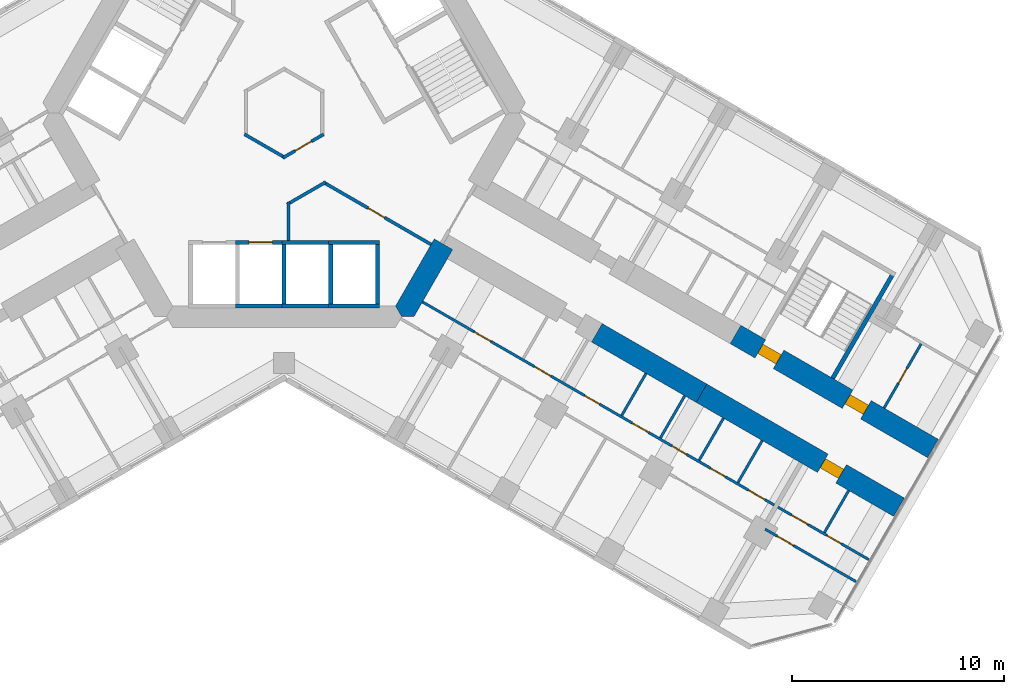
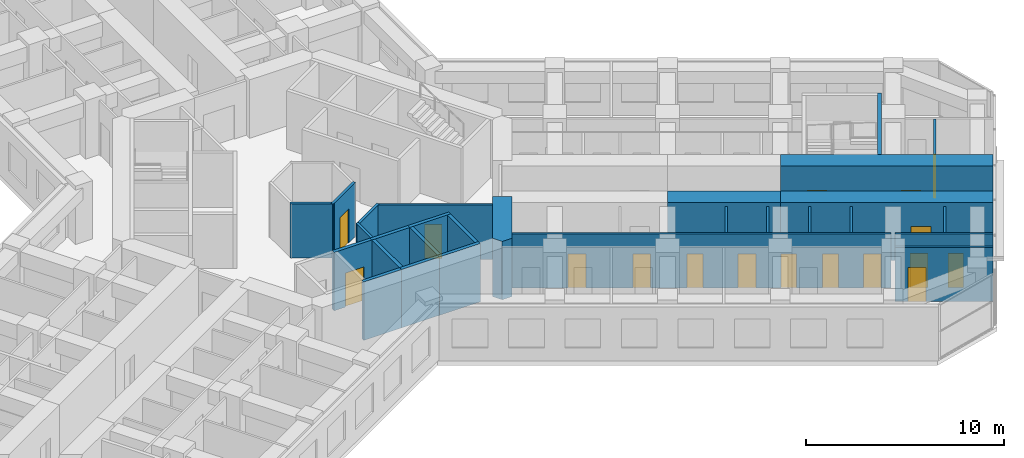
# One storey, part 14 of 21: 28 walls, 17 doors, 17 openings.
"""IFC4 building model written with IfcOpenShell, lengths in metres."""

from ifc_helpers import new_model, si_unit, direction, frame, frame_2d, origin, place, context, subcontext, project, spatial, polyline, rectangle, outline, extrude, material, layer, layer_set, type_object, element, fill, save


model = new_model("IFC4")

# Units and contexts
model_context = context("Model", 3, precision=1e-05, world=origin(), true_north=direction((0.0, 1.0)))
body_context = subcontext(model_context, "Body", "Model", "MODEL_VIEW")
ifc_project = project(units=[si_unit("LENGTHUNIT", "METRE"), si_unit("AREAUNIT", "SQUARE_METRE"), si_unit("VOLUMEUNIT", "CUBIC_METRE"), si_unit("PLANEANGLEUNIT", "RADIAN"), si_unit("MASSUNIT", "GRAM", prefix="KILO")], contexts=[model_context])

# Site, building, storey
site_placement = place(None, origin())
site = spatial("IfcSite", under=ifc_project, at=site_placement, CompositionType="ELEMENT")
building_placement = place(site_placement, origin())
building = spatial("IfcBuilding", under=site, at=building_placement, Name="Kosmar Iwan School Tower", CompositionType="ELEMENT")
storey_placement = place(building_placement, frame((0.0, 0.0, 71.800048828125)))
storey = spatial("IfcBuildingStorey", under=building, at=storey_placement, Name="L17", CompositionType="ELEMENT", Elevation=71.800048828125)

# Wall, opening, door
ifc_material_1 = material(Name="Gypsum board on steel studs, fire-rated", Category="steel")
ifc_layer_1 = layer(ifc_material_1, 0.14990234375)
ifc_layer_set_1 = layer_set([ifc_layer_1], Name="Core room partition 150")
wall_type_1 = type_object("IfcWallType", Name="Core room partition 150", PredefinedType="PARTITIONING", material=ifc_layer_set_1)
wall_1_placement = place(storey_placement, frame((1.864990234375, -1.001708984375, 0.0), z_axis=(0.0, 0.0, 1.0), x_axis=(-0.866023215828, -0.500003789632, 0.0)))
wall_1 = element("IfcWall", 1, at=wall_1_placement, inside=storey, type_object=wall_type_1, Name="Core room partition L17-CW4", PredefinedType="PARTITIONING", context=body_context, shape_type="SweptSolid", body=[
    extrude(rectangle(XDim=2.228515625, YDim=0.14990234375, at=frame_2d((1.1142578125, 0.0))), origin(), (0.0, 0.0, 1.0), 3.349853515625),
])
opening_1_placement = place(wall_1_placement, frame((0.6640625, 0.0, 0.0)))
opening_1 = element("IfcOpeningElement", 2, at=opening_1_placement, cuts=wall_1, Name="Opening D14", PredefinedType="OPENING", context=body_context, shape_type="SweptSolid", body=[
    extrude(rectangle(XDim=0.89990234375, YDim=2.10009765625, at=frame_2d((0.449951171875, 1.050048828125))), frame((0.0, 0.0869140625, 0.0), z_axis=(0.0, -1.0, 0.0), x_axis=(1.0, 0.0, 0.0)), (0.0, 0.0, 1.0), 0.173828125),
])
ifc_material_2 = material(Name="Timber fire door in steel frame", Category="steel")
door_type_1 = type_object("IfcDoorType", Name="Core room door 900x2100", OperationType="SINGLE_SWING_LEFT", PredefinedType="DOOR", material=ifc_material_2)
door_1_placement = place(opening_1_placement, origin())
door_1 = element("IfcDoor", 3, at=door_1_placement, inside=storey, type_object=door_type_1, Name="Vending room door L17 3", OperationType="SINGLE_SWING_LEFT", OverallHeight=2.10009765625, OverallWidth=0.89990234375, PredefinedType="DOOR", context=body_context, shape_type="SweptSolid", body=[
    extrude(rectangle(XDim=0.89990234375, YDim=2.10009765625, at=frame_2d((0.449951171875, 1.050048828125))), frame((0.0, 0.02490234375, 0.0), z_axis=(0.0, -1.0, 0.0), x_axis=(1.0, 0.0, 0.0)), (0.0, 0.0, 1.0), 0.050048828125),
])
fill(opening_1, door_1)

# Walls
wall_2_placement = place(storey_placement, frame((0.06494140625, -2.115966796875, 0.0), z_axis=(0.0, 0.0, 1.0), x_axis=(-0.866023215828, 0.500003789632, 0.0)))
element("IfcWall", 4, at=wall_2_placement, inside=storey, type_object=wall_type_1, Name="Core room partition L17-CW5", PredefinedType="PARTITIONING", context=body_context, shape_type="SweptSolid", body=[
    extrude(rectangle(XDim=2.228515625, YDim=0.14990234375, at=frame_2d((1.1142578125, 0.0))), origin(), (0.0, 0.0, 1.0), 3.349853515625),
])
wall_3_placement = place(storey_placement, frame((0.199951171875, -6.0048828125, 0.0), z_axis=(0.0, 0.0, 1.0), x_axis=(0.0, 1.0, 0.0)))
element("IfcWall", 5, at=wall_3_placement, inside=storey, type_object=wall_type_1, Name="Core room partition L17-CW10", PredefinedType="PARTITIONING", context=body_context, shape_type="SweptSolid", body=[
    extrude(rectangle(XDim=1.807373046875, YDim=0.14990234375, at=frame_2d((0.90380859375, 0.0))), origin(), (0.0, 0.0, 1.0), 3.349853515625),
])
wall_4_placement = place(storey_placement, frame((0.135009765625, -4.309814453125, 0.0), z_axis=(0.0, 0.0, 1.0), x_axis=(0.866037425094, 0.499979177903, 0.0)))
element("IfcWall", 6, at=wall_4_placement, inside=storey, type_object=wall_type_1, Name="Core room partition L17-CW11", PredefinedType="PARTITIONING", context=body_context, shape_type="SweptSolid", body=[
    extrude(rectangle(XDim=2.11279296875, YDim=0.14990234375, at=frame_2d((1.056396484375, 0.0))), origin(), (0.0, 0.0, 1.0), 3.349853515625),
])

# Wall, opening, door
wall_5_placement = place(storey_placement, frame((1.8349609375, -3.25341796875, 0.0), z_axis=(0.0, 0.0, 1.0), x_axis=(0.866025981722, -0.499998998981, 0.0)))
wall_5 = element("IfcWall", 7, at=wall_5_placement, inside=storey, type_object=wall_type_1, Name="Core room partition L17-CW12", PredefinedType="PARTITIONING", context=body_context, shape_type="SweptSolid", body=[
    extrude(rectangle(XDim=5.88427734375, YDim=0.14990234375, at=frame_2d((2.942138671875, 0.0))), origin(), (0.0, 0.0, 1.0), 3.349853515625),
])
opening_2_placement = place(wall_5_placement, frame((2.449951171875, 0.0, 0.0)))
opening_2 = element("IfcOpeningElement", 8, at=opening_2_placement, cuts=wall_5, Name="Opening D14", PredefinedType="OPENING", context=body_context, shape_type="SweptSolid", body=[
    extrude(rectangle(XDim=0.89990234375, YDim=2.10009765625, at=frame_2d((0.449951171875, 1.050048828125))), frame((0.0, 0.0869140625, 0.0), z_axis=(0.0, -1.0, 0.0), x_axis=(1.0, 0.0, 0.0)), (0.0, 0.0, 1.0), 0.173828125),
])
door_2_placement = place(opening_2_placement, origin())
door_2 = element("IfcDoor", 9, at=door_2_placement, inside=storey, type_object=door_type_1, Name="Pram and buggy store door L17 4", OperationType="SINGLE_SWING_LEFT", OverallHeight=2.10009765625, OverallWidth=0.89990234375, PredefinedType="DOOR", context=body_context, shape_type="SweptSolid", body=[
    extrude(rectangle(XDim=0.89990234375, YDim=2.10009765625, at=frame_2d((0.449951171875, 1.050048828125))), frame((0.0, 0.02490234375, 0.0), z_axis=(0.0, -1.0, 0.0), x_axis=(1.0, 0.0, 0.0)), (0.0, 0.0, 1.0), 0.050048828125),
])
fill(opening_2, door_2)

# Wall
ifc_material_3 = material(Name="Concrete C50/60", Category="concrete")
ifc_layer_2 = layer(ifc_material_3, 1.0)
ifc_layer_set_2 = layer_set([ifc_layer_2], Name="Core wall 1000")
wall_type_2 = type_object("IfcWallType", Name="Core wall 1000", PredefinedType="SHEAR", material=ifc_layer_set_2)
wall_6_placement = place(storey_placement, origin())
element("IfcWall", 10, at=wall_6_placement, inside=storey, type_object=wall_type_2, Name="Core wall F330a", PredefinedType="SHEAR", context=body_context, shape_type="SweptSolid", body=[
    extrude(outline(polyline([(5.54248046875, -9.60009765625), (6.119873046875, -9.60009765625), (7.94677734375, -6.435546875), (7.080810546875, -5.935546875), (5.25390625, -9.10009765625), (5.54248046875, -9.60009765625)])), origin(), (0.0, 0.0, 1.0), 3.599853515625),
])

# Wall, openings, doors
ifc_material_4 = material(Name="Concrete C50/60", Category="concrete")
ifc_layer_3 = layer(ifc_material_4, 1.0)
ifc_layer_set_3 = layer_set([ifc_layer_3], Name="Corridor buttress wall 1000")
wall_type_3 = type_object("IfcWallType", Name="Corridor buttress wall 1000", PredefinedType="SHEAR", material=ifc_layer_set_3)
wall_7_placement = place(storey_placement, frame((21.281494140625, -10.439453125, 0.0), z_axis=(0.0, 0.0, 1.0), x_axis=(0.866032345022, -0.499987977232, 0.0)))
wall_7 = element("IfcWall", 11, at=wall_7_placement, inside=storey, type_object=wall_type_3, Name="Corridor wall CL bay 3", PredefinedType="SHEAR", context=body_context, shape_type="SweptSolid", body=[
    extrude(rectangle(XDim=10.744873046875, YDim=1.0, at=frame_2d((5.37255859375, 0.0))), origin(), (0.0, 0.0, 1.0), 3.599853515625),
])
opening_3_placement = place(wall_7_placement, frame((6.10009765625, 0.0, 0.0)))
opening_3 = element("IfcOpeningElement", 12, at=opening_3_placement, cuts=wall_7, Name="Opening D1", PredefinedType="OPENING", context=body_context, shape_type="SweptSolid", body=[
    extrude(rectangle(XDim=1.0, YDim=2.10009765625, at=frame_2d((0.5, 1.050048828125))), frame((0.0, 0.511962890625, 0.0), z_axis=(0.0, -1.0, 0.0), x_axis=(1.0, 0.0, 0.0)), (0.0, 0.0, 1.0), 1.02392578125),
])
opening_4_placement = place(wall_7_placement, frame((1.35009765625, 0.0, 0.0)))
opening_4 = element("IfcOpeningElement", 13, at=opening_4_placement, cuts=wall_7, Name="Opening D6", PredefinedType="OPENING", context=body_context, shape_type="SweptSolid", body=[
    extrude(rectangle(XDim=1.0, YDim=2.10009765625, at=frame_2d((0.5, 1.050048828125))), frame((0.0, 0.511962890625, 0.0), z_axis=(0.0, -1.0, 0.0), x_axis=(1.0, 0.0, 0.0)), (0.0, 0.0, 1.0), 1.02392578125),
])
ifc_material_5 = material(Name="Timber fire door in steel frame", Category="steel")
door_type_2 = type_object("IfcDoorType", Name="Flat entrance door 1000x2100", OperationType="SINGLE_SWING_LEFT", PredefinedType="DOOR", material=ifc_material_5)
door_3_placement = place(opening_3_placement, origin())
door_3 = element("IfcDoor", 14, at=door_3_placement, inside=storey, type_object=door_type_2, Name="Flat L17-CL2 entrance door", OperationType="SINGLE_SWING_RIGHT", OverallHeight=2.10009765625, OverallWidth=1.0, PredefinedType="DOOR", context=body_context, shape_type="SweptSolid", body=[
    extrude(rectangle(XDim=1.0, YDim=2.10009765625, at=frame_2d((0.5, 1.050048828125))), frame((0.0, 0.25, 0.0), z_axis=(0.0, -1.0, 0.0), x_axis=(1.0, 0.0, 0.0)), (0.0, 0.0, 1.0), 0.5),
])
fill(opening_3, door_3)
ifc_material_6 = material(Name="Steel fire door", Category="steel")
door_type_3 = type_object("IfcDoorType", Name="Stair door 1000x2100", OperationType="SINGLE_SWING_LEFT", PredefinedType="DOOR", material=ifc_material_6)
door_4_placement = place(opening_4_placement, origin())
door_4 = element("IfcDoor", 15, at=door_4_placement, inside=storey, type_object=door_type_3, Name="Stair WS3 door L17", OperationType="SINGLE_SWING_LEFT", OverallHeight=2.10009765625, OverallWidth=1.0, PredefinedType="DOOR", context=body_context, shape_type="SweptSolid", body=[
    extrude(rectangle(XDim=1.0, YDim=2.10009765625, at=frame_2d((0.5, 1.050048828125))), frame((0.0, 0.25, 0.0), z_axis=(0.0, -1.0, 0.0), x_axis=(1.0, 0.0, 0.0)), (0.0, 0.0, 1.0), 0.5),
])
fill(opening_4, door_4)

# Wall
wall_8_placement = place(storey_placement, frame((14.7451171875, -10.360595703125, 0.0), z_axis=(0.0, 0.0, 1.0), x_axis=(0.866015111908, -0.50001782563, 0.0)))
element("IfcWall", 16, at=wall_8_placement, inside=storey, type_object=wall_type_3, Name="Corridor wall CR bay 2", PredefinedType="SHEAR", context=body_context, shape_type="SweptSolid", body=[
    extrude(rectangle(XDim=5.699951171875, YDim=1.0, at=frame_2d((2.85009765625, 0.0))), origin(), (0.0, 0.0, 1.0), 3.599853515625),
])

# Wall, opening, door
wall_9_placement = place(storey_placement, frame((19.681396484375, -13.210693359375, 0.0), z_axis=(0.0, 0.0, 1.0), x_axis=(0.866028186671, -0.499995179869, 0.0)))
wall_9 = element("IfcWall", 17, at=wall_9_placement, inside=storey, type_object=wall_type_3, Name="Corridor wall CR bay 3", PredefinedType="SHEAR", context=body_context, shape_type="SweptSolid", body=[
    extrude(rectangle(XDim=10.7451171875, YDim=1.0, at=frame_2d((5.37255859375, 0.0))), origin(), (0.0, 0.0, 1.0), 3.599853515625),
])
opening_5_placement = place(wall_9_placement, frame((6.60009765625, 0.0, 0.0)))
opening_5 = element("IfcOpeningElement", 18, at=opening_5_placement, cuts=wall_9, Name="Opening D1", PredefinedType="OPENING", context=body_context, shape_type="SweptSolid", body=[
    extrude(rectangle(XDim=1.0, YDim=2.10009765625, at=frame_2d((0.5, 1.050048828125))), frame((0.0, 0.511962890625, 0.0), z_axis=(0.0, -1.0, 0.0), x_axis=(1.0, 0.0, 0.0)), (0.0, 0.0, 1.0), 1.02392578125),
])
door_5_placement = place(opening_5_placement, origin())
door_5 = element("IfcDoor", 19, at=door_5_placement, inside=storey, type_object=door_type_2, Name="Flat L17-CR2 entrance door", OperationType="SINGLE_SWING_RIGHT", OverallHeight=2.10009765625, OverallWidth=1.0, PredefinedType="DOOR", context=body_context, shape_type="SweptSolid", body=[
    extrude(rectangle(XDim=1.0, YDim=2.10009765625, at=frame_2d((0.5, 1.050048828125))), frame((0.0, 0.25, 0.0), z_axis=(0.0, -1.0, 0.0), x_axis=(1.0, 0.0, 0.0)), (0.0, 0.0, 1.0), 0.5),
])
fill(opening_5, door_5)

ifc_material_7 = material(Name="Gypsum board on steel studs", Category="steel")
ifc_layer_4 = layer(ifc_material_7, 0.1201171875)
ifc_layer_set_4 = layer_set([ifc_layer_4], Name="Dwelling partition 120")
wall_type_4 = type_object("IfcWallType", Name="Dwelling partition 120", PredefinedType="PARTITIONING", material=ifc_layer_set_4)
wall_10_placement = place(storey_placement, frame((28.286376953125, -13.90625, 0.0), z_axis=(0.0, 0.0, 1.0), x_axis=(0.50002117804, 0.866013176292, 0.0)))
wall_10 = element("IfcWall", 20, at=wall_10_placement, inside=storey, type_object=wall_type_4, Name="Partition L17-CL2-TY", PredefinedType="PARTITIONING", context=body_context, shape_type="SweptSolid", body=[
    extrude(rectangle(XDim=3.489990234375, YDim=0.1201171875, at=frame_2d((1.7451171875, 0.0))), origin(), (0.0, 0.0, 1.0), 3.349853515625),
])
opening_6_placement = place(wall_10_placement, frame((1.344970703125, 0.0, 0.0)))
opening_6 = element("IfcOpeningElement", 21, at=opening_6_placement, cuts=wall_10, Name="Opening D3", PredefinedType="OPENING", context=body_context, shape_type="SweptSolid", body=[
    extrude(rectangle(XDim=0.800048828125, YDim=2.10009765625, at=frame_2d((0.39990234375, 1.050048828125))), frame((0.0, 0.072021484375, 0.0), z_axis=(0.0, -1.0, 0.0), x_axis=(1.0, 0.0, 0.0)), (0.0, 0.0, 1.0), 0.14404296875),
])
ifc_material_8 = material(Name="Timber door in timber frame", Category="wood")
door_type_4 = type_object("IfcDoorType", Name="Sanitary room door 800x2100", OperationType="SINGLE_SWING_LEFT", PredefinedType="DOOR", material=ifc_material_8)
door_6_placement = place(opening_6_placement, origin())
door_6 = element("IfcDoor", 22, at=door_6_placement, inside=storey, type_object=door_type_4, Name="Bathroom door L17-CL2-T4", OperationType="SINGLE_SWING_RIGHT", OverallHeight=2.10009765625, OverallWidth=0.800048828125, PredefinedType="DOOR", context=body_context, shape_type="SweptSolid", body=[
    extrude(rectangle(XDim=0.800048828125, YDim=2.10009765625, at=frame_2d((0.39990234375, 1.050048828125))), frame((0.0, 0.02490234375, 0.0), z_axis=(0.0, -1.0, 0.0), x_axis=(1.0, 0.0, 0.0)), (0.0, 0.0, 1.0), 0.050048828125),
])
fill(opening_6, door_6)

# Wall, openings, doors
wall_11_placement = place(storey_placement, frame((6.521728515625, -8.90380859375, 0.0), z_axis=(0.0, 0.0, 1.0), x_axis=(0.866027632837, -0.499996139147, 0.0)))
wall_11 = element("IfcWall", 23, at=wall_11_placement, inside=storey, type_object=wall_type_4, Name="Partition L17-CR1-W1", PredefinedType="PARTITIONING", context=body_context, shape_type="SweptSolid", body=[
    extrude(rectangle(XDim=19.150146484375, YDim=0.1201171875, at=frame_2d((9.5751953125, 0.0))), origin(), (0.0, 0.0, 1.0), 3.349853515625),
])
opening_7_placement = place(wall_11_placement, frame((2.824951171875, 0.0, 0.0)))
opening_7 = element("IfcOpeningElement", 24, at=opening_7_placement, cuts=wall_11, Name="Opening D2", PredefinedType="OPENING", context=body_context, shape_type="SweptSolid", body=[
    extrude(rectangle(XDim=0.89990234375, YDim=2.10009765625, at=frame_2d((0.449951171875, 1.050048828125))), frame((0.0, 0.072021484375, 0.0), z_axis=(0.0, -1.0, 0.0), x_axis=(1.0, 0.0, 0.0)), (0.0, 0.0, 1.0), 0.14404296875),
])
opening_8_placement = place(wall_11_placement, frame((6.10009765625, 0.0, 0.0)))
opening_8 = element("IfcOpeningElement", 25, at=opening_8_placement, cuts=wall_11, Name="Opening D2", PredefinedType="OPENING", context=body_context, shape_type="SweptSolid", body=[
    extrude(rectangle(XDim=0.89990234375, YDim=2.10009765625, at=frame_2d((0.449951171875, 1.050048828125))), frame((0.0, 0.072021484375, 0.0), z_axis=(0.0, -1.0, 0.0), x_axis=(1.0, 0.0, 0.0)), (0.0, 0.0, 1.0), 0.14404296875),
])
opening_9_placement = place(wall_11_placement, frame((8.831787109375, 0.0, 0.0)))
opening_9 = element("IfcOpeningElement", 26, at=opening_9_placement, cuts=wall_11, Name="Opening D3", PredefinedType="OPENING", context=body_context, shape_type="SweptSolid", body=[
    extrude(rectangle(XDim=0.800048828125, YDim=2.10009765625, at=frame_2d((0.39990234375, 1.050048828125))), frame((0.0, 0.072021484375, 0.0), z_axis=(0.0, -1.0, 0.0), x_axis=(1.0, 0.0, 0.0)), (0.0, 0.0, 1.0), 0.14404296875),
])
opening_10_placement = place(wall_11_placement, frame((11.418212890625, 0.0, 0.0)))
opening_10 = element("IfcOpeningElement", 27, at=opening_10_placement, cuts=wall_11, Name="Opening D2", PredefinedType="OPENING", context=body_context, shape_type="SweptSolid", body=[
    extrude(rectangle(XDim=0.89990234375, YDim=2.10009765625, at=frame_2d((0.449951171875, 1.050048828125))), frame((0.0, 0.072021484375, 0.0), z_axis=(0.0, -1.0, 0.0), x_axis=(1.0, 0.0, 0.0)), (0.0, 0.0, 1.0), 0.14404296875),
])
opening_11_placement = place(wall_11_placement, frame((13.577392578125, 0.0, 0.0)))
opening_11 = element("IfcOpeningElement", 28, at=opening_11_placement, cuts=wall_11, Name="Opening D3", PredefinedType="OPENING", context=body_context, shape_type="SweptSolid", body=[
    extrude(rectangle(XDim=0.800048828125, YDim=2.10009765625, at=frame_2d((0.39990234375, 1.050048828125))), frame((0.0, 0.072021484375, 0.0), z_axis=(0.0, -1.0, 0.0), x_axis=(1.0, 0.0, 0.0)), (0.0, 0.0, 1.0), 0.14404296875),
])
opening_12_placement = place(wall_11_placement, frame((15.686279296875, 0.0, 0.0)))
opening_12 = element("IfcOpeningElement", 29, at=opening_12_placement, cuts=wall_11, Name="Opening D3", PredefinedType="OPENING", context=body_context, shape_type="SweptSolid", body=[
    extrude(rectangle(XDim=0.800048828125, YDim=2.10009765625, at=frame_2d((0.39990234375, 1.050048828125))), frame((0.0, 0.072021484375, 0.0), z_axis=(0.0, -1.0, 0.0), x_axis=(1.0, 0.0, 0.0)), (0.0, 0.0, 1.0), 0.14404296875),
])
opening_13_placement = place(wall_11_placement, frame((17.745361328125, 0.0, 0.0)))
opening_13 = element("IfcOpeningElement", 30, at=opening_13_placement, cuts=wall_11, Name="Opening D2", PredefinedType="OPENING", context=body_context, shape_type="SweptSolid", body=[
    extrude(rectangle(XDim=0.89990234375, YDim=2.10009765625, at=frame_2d((0.449951171875, 1.050048828125))), frame((0.0, 0.072021484375, 0.0), z_axis=(0.0, -1.0, 0.0), x_axis=(1.0, 0.0, 0.0)), (0.0, 0.0, 1.0), 0.14404296875),
])
ifc_material_9 = material(Name="Timber door in timber frame", Category="wood")
door_type_5 = type_object("IfcDoorType", Name="Internal door 900x2100", OperationType="SINGLE_SWING_LEFT", PredefinedType="DOOR", material=ifc_material_9)
door_7_placement = place(opening_7_placement, origin())
door_7 = element("IfcDoor", 31, at=door_7_placement, inside=storey, type_object=door_type_5, Name="Utility room door L17-CR1-S1", OperationType="SINGLE_SWING_RIGHT", OverallHeight=2.10009765625, OverallWidth=0.89990234375, PredefinedType="DOOR", context=body_context, shape_type="SweptSolid", body=[
    extrude(rectangle(XDim=0.89990234375, YDim=2.10009765625, at=frame_2d((0.449951171875, 1.050048828125))), frame((0.0, 0.02490234375, 0.0), z_axis=(0.0, -1.0, 0.0), x_axis=(1.0, 0.0, 0.0)), (0.0, 0.0, 1.0), 0.050048828125),
])
fill(opening_7, door_7)
door_8_placement = place(opening_8_placement, origin())
door_8 = element("IfcDoor", 32, at=door_8_placement, inside=storey, type_object=door_type_5, Name="Entrance hall door L17-CR1-S2", OperationType="SINGLE_SWING_RIGHT", OverallHeight=2.10009765625, OverallWidth=0.89990234375, PredefinedType="DOOR", context=body_context, shape_type="SweptSolid", body=[
    extrude(rectangle(XDim=0.89990234375, YDim=2.10009765625, at=frame_2d((0.449951171875, 1.050048828125))), frame((0.0, 0.02490234375, 0.0), z_axis=(0.0, -1.0, 0.0), x_axis=(1.0, 0.0, 0.0)), (0.0, 0.0, 1.0), 0.050048828125),
])
fill(opening_8, door_8)
door_9_placement = place(opening_10_placement, origin())
door_9 = element("IfcDoor", 33, at=door_9_placement, inside=storey, type_object=door_type_5, Name="Pantry door L17-CR1-S4", OperationType="SINGLE_SWING_RIGHT", OverallHeight=2.10009765625, OverallWidth=0.89990234375, PredefinedType="DOOR", context=body_context, shape_type="SweptSolid", body=[
    extrude(rectangle(XDim=0.89990234375, YDim=2.10009765625, at=frame_2d((0.449951171875, 1.050048828125))), frame((0.0, 0.02490234375, 0.0), z_axis=(0.0, -1.0, 0.0), x_axis=(1.0, 0.0, 0.0)), (0.0, 0.0, 1.0), 0.050048828125),
])
fill(opening_10, door_9)
door_10_placement = place(opening_13_placement, origin())
door_10 = element("IfcDoor", 34, at=door_10_placement, inside=storey, type_object=door_type_5, Name="Dressing room door L17-CR1-S7", OperationType="SINGLE_SWING_RIGHT", OverallHeight=2.10009765625, OverallWidth=0.89990234375, PredefinedType="DOOR", context=body_context, shape_type="SweptSolid", body=[
    extrude(rectangle(XDim=0.89990234375, YDim=2.10009765625, at=frame_2d((0.449951171875, 1.050048828125))), frame((0.0, 0.02490234375, 0.0), z_axis=(0.0, -1.0, 0.0), x_axis=(1.0, 0.0, 0.0)), (0.0, 0.0, 1.0), 0.050048828125),
])
fill(opening_13, door_10)
door_11_placement = place(opening_9_placement, origin())
door_11 = element("IfcDoor", 35, at=door_11_placement, inside=storey, type_object=door_type_4, Name="Bathroom door L17-CR1-S3", OperationType="SINGLE_SWING_LEFT", OverallHeight=2.10009765625, OverallWidth=0.800048828125, PredefinedType="DOOR", context=body_context, shape_type="SweptSolid", body=[
    extrude(rectangle(XDim=0.800048828125, YDim=2.10009765625, at=frame_2d((0.39990234375, 1.050048828125))), frame((0.0, 0.02490234375, 0.0), z_axis=(0.0, -1.0, 0.0), x_axis=(1.0, 0.0, 0.0)), (0.0, 0.0, 1.0), 0.050048828125),
])
fill(opening_9, door_11)
door_12_placement = place(opening_11_placement, origin())
door_12 = element("IfcDoor", 36, at=door_12_placement, inside=storey, type_object=door_type_4, Name="WC door L17-CR1-S5", OperationType="SINGLE_SWING_LEFT", OverallHeight=2.10009765625, OverallWidth=0.800048828125, PredefinedType="DOOR", context=body_context, shape_type="SweptSolid", body=[
    extrude(rectangle(XDim=0.800048828125, YDim=2.10009765625, at=frame_2d((0.39990234375, 1.050048828125))), frame((0.0, 0.02490234375, 0.0), z_axis=(0.0, -1.0, 0.0), x_axis=(1.0, 0.0, 0.0)), (0.0, 0.0, 1.0), 0.050048828125),
])
fill(opening_11, door_12)
door_13_placement = place(opening_12_placement, origin())
door_13 = element("IfcDoor", 37, at=door_13_placement, inside=storey, type_object=door_type_4, Name="Store door L17-CR1-S6", OperationType="SINGLE_SWING_RIGHT", OverallHeight=2.10009765625, OverallWidth=0.800048828125, PredefinedType="DOOR", context=body_context, shape_type="SweptSolid", body=[
    extrude(rectangle(XDim=0.800048828125, YDim=2.10009765625, at=frame_2d((0.39990234375, 1.050048828125))), frame((0.0, 0.02490234375, 0.0), z_axis=(0.0, -1.0, 0.0), x_axis=(1.0, 0.0, 0.0)), (0.0, 0.0, 1.0), 0.050048828125),
])
fill(opening_12, door_13)

# Walls
wall_12_placement = place(storey_placement, frame((17.061767578125, -12.275390625, 0.0), z_axis=(0.0, 0.0, 1.0), x_axis=(-0.499968531483, -0.866043571379, 0.0)))
element("IfcWall", 38, at=wall_12_placement, inside=storey, type_object=wall_type_4, Name="Partition L17-CR1-Y3", PredefinedType="PARTITIONING", context=body_context, shape_type="SweptSolid", body=[
    extrude(rectangle(XDim=2.290283203125, YDim=0.1201171875, at=frame_2d((1.14501953125, 0.0))), origin(), (0.0, 0.0, 1.0), 3.349853515625),
])
for number, where, z_axis, x_axis, name in (
    (39, (18.88818359375, -13.330078125, 0.0), (0.0, 0.0, 1.0), (-0.500014693593, -0.866016920268, 0.0), "Partition L17-CR1-Y4"),
    (40, (20.71484375, -14.384521484375, 0.0), (0.0, 0.0, 1.0), (-0.500014693593, -0.866016920268, 0.0), "Partition L17-CR1-Y5"),
    (41, (22.541259765625, -15.439208984375, 0.0), (0.0, 0.0, 1.0), (-0.500014693593, -0.866016920268, 0.0), "Partition L17-CR1-Y6"),
):
    element("IfcWall", number, at=place(storey_placement, frame(where, z_axis=z_axis, x_axis=x_axis)), inside=storey, type_object=wall_type_4, Name=name, PredefinedType="PARTITIONING", context=body_context, shape_type="SweptSolid", body=[
        extrude(rectangle(XDim=2.2900390625, YDim=0.1201171875, at=frame_2d((1.14501953125, 0.0))), origin(), (0.0, 0.0, 1.0), 3.349853515625),
    ])

# Wall, openings, doors
wall_13_placement = place(storey_placement, frame((23.279541015625, -18.578857421875, 0.0), z_axis=(0.0, 0.0, 1.0), x_axis=(0.866031840221, -0.4999888516, 0.0)))
wall_13 = element("IfcWall", 42, at=wall_13_placement, inside=storey, type_object=wall_type_4, Name="Partition L17-CR2-W1", PredefinedType="PARTITIONING", context=body_context, shape_type="SweptSolid", body=[
    extrude(rectangle(XDim=4.94482421875, YDim=0.1201171875, at=frame_2d((2.472412109375, 0.0))), origin(), (0.0, 0.0, 1.0), 3.349853515625),
])
opening_14_placement = place(wall_13_placement, frame((0.75, 0.0, 0.0)))
opening_14 = element("IfcOpeningElement", 43, at=opening_14_placement, cuts=wall_13, Name="Opening D2", PredefinedType="OPENING", context=body_context, shape_type="SweptSolid", body=[
    extrude(rectangle(XDim=0.89990234375, YDim=2.10009765625, at=frame_2d((0.449951171875, 1.050048828125))), frame((0.0, 0.072021484375, 0.0), z_axis=(0.0, -1.0, 0.0), x_axis=(1.0, 0.0, 0.0)), (0.0, 0.0, 1.0), 0.14404296875),
])
opening_15_placement = place(wall_13_placement, frame((2.659912109375, 0.0, 0.0)))
opening_15 = element("IfcOpeningElement", 44, at=opening_15_placement, cuts=wall_13, Name="Opening D3", PredefinedType="OPENING", context=body_context, shape_type="SweptSolid", body=[
    extrude(rectangle(XDim=0.800048828125, YDim=2.10009765625, at=frame_2d((0.39990234375, 1.050048828125))), frame((0.0, 0.072021484375, 0.0), z_axis=(0.0, -1.0, 0.0), x_axis=(1.0, 0.0, 0.0)), (0.0, 0.0, 1.0), 0.14404296875),
])
door_14_placement = place(opening_14_placement, origin())
door_14 = element("IfcDoor", 45, at=door_14_placement, inside=storey, type_object=door_type_5, Name="Entrance hall door L17-CR2-S1", OperationType="SINGLE_SWING_LEFT", OverallHeight=2.10009765625, OverallWidth=0.89990234375, PredefinedType="DOOR", context=body_context, shape_type="SweptSolid", body=[
    extrude(rectangle(XDim=0.89990234375, YDim=2.10009765625, at=frame_2d((0.449951171875, 1.050048828125))), frame((0.0, 0.02490234375, 0.0), z_axis=(0.0, -1.0, 0.0), x_axis=(1.0, 0.0, 0.0)), (0.0, 0.0, 1.0), 0.050048828125),
])
fill(opening_14, door_14)
door_15_placement = place(opening_15_placement, origin())
door_15 = element("IfcDoor", 46, at=door_15_placement, inside=storey, type_object=door_type_4, Name="Bathroom door L17-CR2-S2", OperationType="SINGLE_SWING_LEFT", OverallHeight=2.10009765625, OverallWidth=0.800048828125, PredefinedType="DOOR", context=body_context, shape_type="SweptSolid", body=[
    extrude(rectangle(XDim=0.800048828125, YDim=2.10009765625, at=frame_2d((0.39990234375, 1.050048828125))), frame((0.0, 0.02490234375, 0.0), z_axis=(0.0, -1.0, 0.0), x_axis=(1.0, 0.0, 0.0)), (0.0, 0.0, 1.0), 0.050048828125),
])
fill(opening_15, door_15)

# Wall, opening, door
wall_14_placement = place(storey_placement, frame((22.679443359375, -19.6181640625, 0.0), z_axis=(0.0, 0.0, 1.0), x_axis=(0.866031840221, -0.4999888516, 0.0)))
wall_14 = element("IfcWall", 47, at=wall_14_placement, inside=storey, type_object=wall_type_4, Name="Partition L17-CR2-W2", PredefinedType="PARTITIONING", context=body_context, shape_type="SweptSolid", body=[
    extrude(rectangle(XDim=4.94482421875, YDim=0.1201171875, at=frame_2d((2.472412109375, 0.0))), origin(), (0.0, 0.0, 1.0), 3.349853515625),
])
opening_16_placement = place(wall_14_placement, frame((0.64990234375, 0.0, 0.0)))
opening_16 = element("IfcOpeningElement", 48, at=opening_16_placement, cuts=wall_14, Name="Opening D2", PredefinedType="OPENING", context=body_context, shape_type="SweptSolid", body=[
    extrude(rectangle(XDim=0.89990234375, YDim=2.10009765625, at=frame_2d((0.449951171875, 1.050048828125))), frame((0.0, 0.072021484375, 0.0), z_axis=(0.0, -1.0, 0.0), x_axis=(1.0, 0.0, 0.0)), (0.0, 0.0, 1.0), 0.14404296875),
])
door_16_placement = place(opening_16_placement, origin())
door_16 = element("IfcDoor", 49, at=door_16_placement, inside=storey, type_object=door_type_5, Name="Studio living room and kitchen door L17-CR2-F1", OperationType="SINGLE_SWING_LEFT", OverallHeight=2.10009765625, OverallWidth=0.89990234375, PredefinedType="DOOR", context=body_context, shape_type="SweptSolid", body=[
    extrude(rectangle(XDim=0.89990234375, YDim=2.10009765625, at=frame_2d((0.449951171875, 1.050048828125))), frame((0.0, 0.02490234375, 0.0), z_axis=(0.0, -1.0, 0.0), x_axis=(1.0, 0.0, 0.0)), (0.0, 0.0, 1.0), 0.050048828125),
])
fill(opening_16, door_16)

# Walls
wall_15_placement = place(storey_placement, frame((26.61962890625, -17.793701171875, 0.0), z_axis=(0.0, 0.0, 1.0), x_axis=(-0.500014693593, -0.866016920268, 0.0)))
element("IfcWall", 50, at=wall_15_placement, inside=storey, type_object=wall_type_4, Name="Partition L17-CR2-Y1", PredefinedType="PARTITIONING", context=body_context, shape_type="SweptSolid", body=[
    extrude(rectangle(XDim=2.2900390625, YDim=0.1201171875, at=frame_2d((1.14501953125, 0.0))), origin(), (0.0, 0.0, 1.0), 3.349853515625),
])
ifc_material_10 = material(Name="Concrete C35/45", Category="concrete")
ifc_layer_5 = layer(ifc_material_10, 0.199951171875)
ifc_layer_set_5 = layer_set([ifc_layer_5], Name="Escape stair wall 200")
wall_type_5 = type_object("IfcWallType", Name="Escape stair wall 200", PredefinedType="SHEAR", material=ifc_layer_set_5)
wall_16_placement = place(storey_placement, frame((25.861572265625, -12.50634765625, 0.0), z_axis=(0.0, 0.0, 1.0), x_axis=(0.500018801468, 0.86601454848, 0.0)))
element("IfcWall", 51, at=wall_16_placement, inside=storey, type_object=wall_type_5, Name="Stair WS3 wall", PredefinedType="SHEAR", context=body_context, shape_type="SweptSolid", body=[
    extrude(rectangle(XDim=5.800048828125, YDim=0.199951171875, at=frame_2d((2.89990234375, 0.0))), origin(), (0.0, 0.0, 1.0), 3.329833984375),
])

# Wall, opening, door
ifc_material_11 = material(Name="Concrete C50/60", Category="concrete")
ifc_layer_6 = layer(ifc_material_11, 0.199951171875)
ifc_layer_set_6 = layer_set([ifc_layer_6], Name="Lift shaft wall 200")
wall_type_6 = type_object("IfcWallType", Name="Lift shaft wall 200", PredefinedType="SHEAR", material=ifc_layer_set_6)
wall_17_placement = place(storey_placement, frame((-2.300048828125, -6.10009765625, 0.0), z_axis=(0.0, 0.0, 1.0), x_axis=(1.0, 0.0, 0.0)))
wall_17 = element("IfcWall", 52, at=wall_17_placement, inside=storey, type_object=wall_type_6, Name="Lift and stair front wall BC", PredefinedType="SHEAR", context=body_context, shape_type="SweptSolid", body=[
    extrude(rectangle(XDim=2.199951171875, YDim=0.199951171875, at=frame_2d((1.10009765625, 0.0))), origin(), (0.0, 0.0, 1.0), 3.599853515625),
])
opening_17_placement = place(wall_17_placement, frame((0.64990234375, 0.0, 0.0)))
opening_17 = element("IfcOpeningElement", 53, at=opening_17_placement, cuts=wall_17, Name="Opening LD1", PredefinedType="OPENING", context=body_context, shape_type="SweptSolid", body=[
    extrude(rectangle(XDim=1.10009765625, YDim=2.10009765625, at=frame_2d((0.550048828125, 1.050048828125))), frame((0.0, 0.112060546875, 0.0), z_axis=(0.0, -1.0, 0.0), x_axis=(1.0, 0.0, 0.0)), (0.0, 0.0, 1.0), 0.223876953125),
])
ifc_material_12 = material(Name="Stainless steel sliding lift door", Category="steel")
door_type_6 = type_object("IfcDoorType", Name="Lift landing door 1100x2100", OperationType="SLIDING_TO_LEFT", PredefinedType="DOOR", material=ifc_material_12)
door_17_placement = place(opening_17_placement, origin())
door_17 = element("IfcDoor", 54, at=door_17_placement, inside=storey, type_object=door_type_6, Name="Lift PL2 landing door L17", OperationType="SLIDING_TO_LEFT", OverallHeight=2.10009765625, OverallWidth=1.10009765625, PredefinedType="DOOR", context=body_context, shape_type="SweptSolid", body=[
    extrude(rectangle(XDim=1.10009765625, YDim=2.10009765625, at=frame_2d((0.550048828125, 1.050048828125))), frame((0.0, 0.02490234375, 0.0), z_axis=(0.0, -1.0, 0.0), x_axis=(1.0, 0.0, 0.0)), (0.0, 0.0, 1.0), 0.050048828125),
])
fill(opening_17, door_17)

# Walls
wall_18_placement = place(storey_placement, frame((-2.300048828125, -9.10009765625, 0.0), z_axis=(0.0, 0.0, 1.0), x_axis=(1.0, 0.0, 0.0)))
element("IfcWall", 55, at=wall_18_placement, inside=storey, type_object=wall_type_6, Name="Lift and stair back wall BC", PredefinedType="SHEAR", context=body_context, shape_type="SweptSolid", body=[
    extrude(rectangle(XDim=2.199951171875, YDim=0.199951171875, at=frame_2d((1.10009765625, 0.0))), origin(), (0.0, 0.0, 1.0), 3.599853515625),
])
for number, where, z_axis, x_axis, name in (
    (56, (-0.10009765625, -6.10009765625, 0.0), (0.0, 0.0, 1.0), (1.0, 0.0, 0.0), "Lift and stair front wall BC"),
    (57, (-0.10009765625, -9.10009765625, 0.0), (0.0, 0.0, 1.0), (1.0, 0.0, 0.0), "Lift and stair back wall BC"),
):
    element("IfcWall", number, at=place(storey_placement, frame(where, z_axis=z_axis, x_axis=x_axis)), inside=storey, type_object=wall_type_6, Name=name, PredefinedType="SHEAR", context=body_context, shape_type="SweptSolid", body=[
        extrude(rectangle(XDim=2.2001953125, YDim=0.199951171875, at=frame_2d((1.10009765625, 0.0))), origin(), (0.0, 0.0, 1.0), 3.599853515625),
    ])
for number, where, z_axis, x_axis, name in (
    (58, (2.10009765625, -6.10009765625, 0.0), (0.0, 0.0, 1.0), (1.0, 0.0, 0.0), "Lift and stair front wall BC"),
    (59, (2.10009765625, -9.10009765625, 0.0), (0.0, 0.0, 1.0), (1.0, 0.0, 0.0), "Lift and stair back wall BC"),
):
    element("IfcWall", number, at=place(storey_placement, frame(where, z_axis=z_axis, x_axis=x_axis)), inside=storey, type_object=wall_type_6, Name=name, PredefinedType="SHEAR", context=body_context, shape_type="SweptSolid", body=[
        extrude(rectangle(XDim=2.39990234375, YDim=0.199951171875, at=frame_2d((1.199951171875, 0.0))), origin(), (0.0, 0.0, 1.0), 3.599853515625),
    ])
for number, where, z_axis, x_axis, name in (
    (60, (0.0, -6.199951171875, 0.0), (0.0, 0.0, 1.0), (0.0, -1.0, 0.0), "Lift shaft wall BC 2"),
    (61, (2.199951171875, -6.199951171875, 0.0), (0.0, 0.0, 1.0), (0.0, -1.0, 0.0), "Lift shaft wall BC 3"),
    (62, (4.39990234375, -6.199951171875, 0.0), (0.0, 0.0, 1.0), (0.0, -1.0, 0.0), "Lift shaft wall BC 4"),
):
    element("IfcWall", number, at=place(storey_placement, frame(where, z_axis=z_axis, x_axis=x_axis)), inside=storey, type_object=wall_type_6, Name=name, PredefinedType="SHEAR", context=body_context, shape_type="SweptSolid", body=[
        extrude(rectangle(XDim=2.800048828125, YDim=0.199951171875, at=frame_2d((1.39990234375, 0.0))), origin(), (0.0, 0.0, 1.0), 3.599853515625),
    ])

save(model, "model.ifc")
